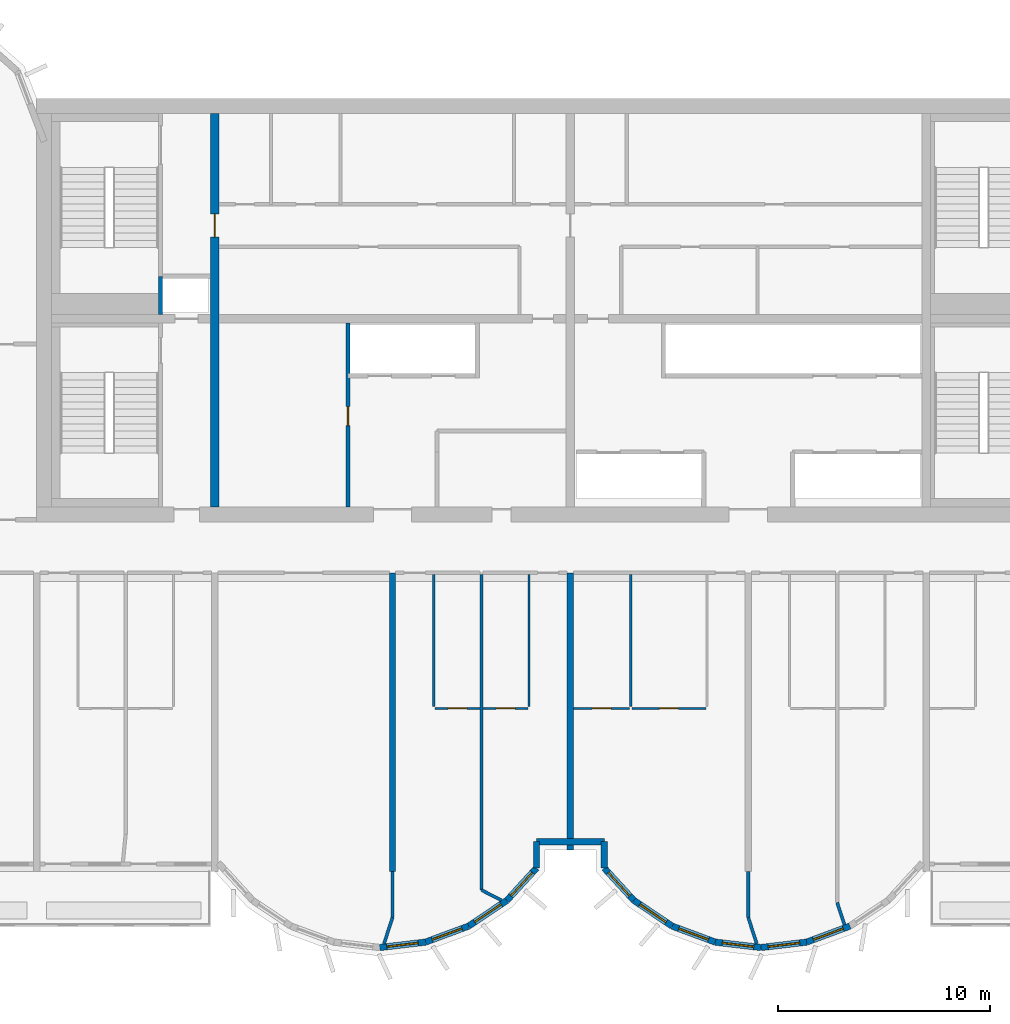
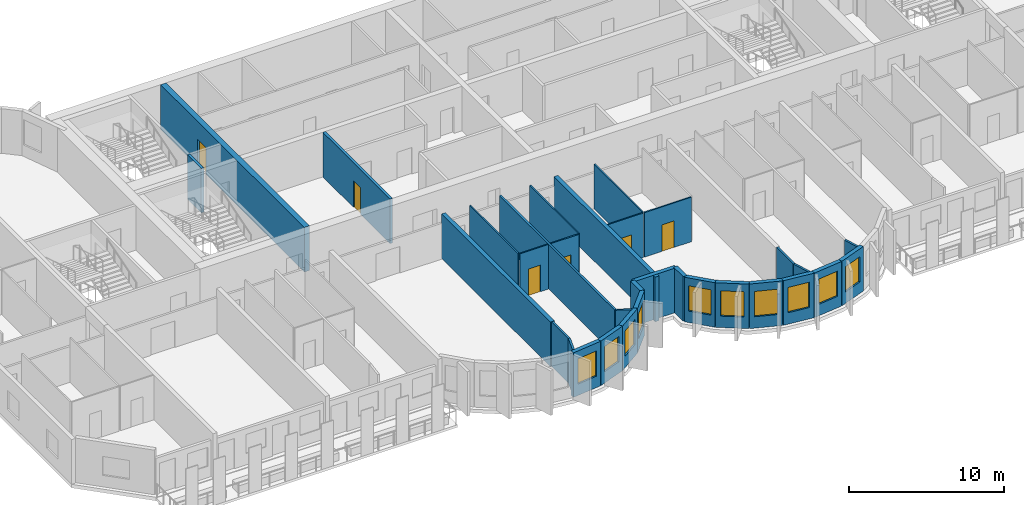
# One storey, part 4 of 13: 32 walls, 10 windows, 6 doors, 16 openings.
"""IFC4 building model written with IfcOpenShell, lengths in metres."""

from ifc_helpers import new_model, si_unit, direction, frame, frame_2d, origin, place, context, subcontext, project, spatial, rectangle, extrude, source, transform, mapped, material, layer, layer_set, type_object, element, fill, save


model = new_model("IFC4")

# Units and contexts
model_context = context("Model", 3, precision=1e-05, world=origin(), true_north=direction((0.0, 1.0)))
body_context = subcontext(model_context, "Body", "Model", "MODEL_VIEW")
ifc_project = project(units=[si_unit("LENGTHUNIT", "METRE"), si_unit("AREAUNIT", "SQUARE_METRE"), si_unit("VOLUMEUNIT", "CUBIC_METRE"), si_unit("PLANEANGLEUNIT", "RADIAN"), si_unit("MASSUNIT", "GRAM", prefix="KILO")], contexts=[model_context])

# Site, building, storey
site_placement = place(None, origin())
site = spatial("IfcSite", under=ifc_project, at=site_placement, CompositionType="ELEMENT")
building_placement = place(site_placement, origin())
building = spatial("IfcBuilding", under=site, at=building_placement, Name="Vanashikhar Sky Hotel", CompositionType="ELEMENT")
storey_placement = place(building_placement, frame((0.0, 0.0, 151.60009765625)))
storey = spatial("IfcBuildingStorey", under=building, at=storey_placement, Name="L36", CompositionType="ELEMENT", Elevation=151.60009765625)

# Wall, opening, door
ifc_material_1 = material(Name="Concrete M60", Category="concrete")
ifc_layer_1 = layer(ifc_material_1, 0.39990234375)
ifc_layer_set_1 = layer_set([ifc_layer_1], Name="RC core inner wall 400 Concrete M60")
wall_type_1 = type_object("IfcWallType", Name="RC core inner wall 400 Concrete M60", PredefinedType="SHEAR", material=ifc_layer_set_1)
shared_shape_1 = source(origin(), body_context, "Body", "SweptSolid", [
    extrude(rectangle(XDim=18.60009765625, YDim=0.39990234375, at=frame_2d((9.300048828125, 0.0))), origin(), (0.0, 0.0, 1.0), 3.52001953125),
])
wall_1_placement = place(storey_placement, frame((33.60009765625, 22.699951171875, 0.0), z_axis=(0.0, 0.0, 1.0), x_axis=(0.0, 1.0, 0.0)))
wall_1 = element("IfcWall", 1, at=wall_1_placement, inside=storey, type_object=wall_type_1, Name="KW-L36-KX1", PredefinedType="SHEAR", context=body_context, shape_type="MappedRepresentation", body=[
    mapped(shared_shape_1, transform((0.0, 0.0, 0.0), scale=1.0)),
])
shared_shape_2 = source(origin(), body_context, "Body", "SweptSolid", [
    extrude(rectangle(XDim=1.10009765625, YDim=2.10009765625, at=frame_2d((0.550048828125, 1.050048828125))), frame((0.0, 0.2099609375, 0.0), z_axis=(0.0, -1.0, 0.0), x_axis=(1.0, 0.0, 0.0)), (0.0, 0.0, 1.0), 0.419921875),
])
opening_1_placement = place(wall_1_placement, frame((12.75, 0.0, 0.0)))
opening_1 = element("IfcOpeningElement", 2, at=opening_1_placement, cuts=wall_1, Name="Opening DC-4-C", PredefinedType="OPENING", context=body_context, shape_type="MappedRepresentation", body=[
    mapped(shared_shape_2, transform((0.0, 0.0, 0.0), scale=1.0)),
])
ifc_material_2 = material(Name="Steel", Category="steel")
door_type_1 = type_object("IfcDoorType", Name="Service door 1100 FD60", OperationType="NOTDEFINED", PredefinedType="DOOR", material=ifc_material_2)
shared_shape_3 = source(origin(), body_context, "Body", "SweptSolid", [
    extrude(rectangle(XDim=1.10009765625, YDim=2.10009765625, at=frame_2d((0.550048828125, 1.050048828125))), frame((0.0, 0.02490234375, 0.0), z_axis=(0.0, -1.0, 0.0), x_axis=(1.0, 0.0, 0.0)), (0.0, 0.0, 1.0), 0.050048828125),
])
door_1_placement = place(opening_1_placement, origin())
door_1 = element("IfcDoor", 3, at=door_1_placement, inside=storey, type_object=door_type_1, Name="Service door 1100 FD60", OperationType="SINGLE_SWING_LEFT", OverallHeight=2.10009765625, OverallWidth=1.10009765625, PredefinedType="DOOR", context=body_context, shape_type="MappedRepresentation", body=[
    mapped(shared_shape_3, transform((0.0, 0.0, 0.0), scale=1.0)),
])
fill(opening_1, door_1)

# Walls
ifc_layer_2 = layer(ifc_material_1, 0.300048828125)
ifc_layer_set_2 = layer_set([ifc_layer_2], Name="RC shear wall 300 Concrete M60")
wall_type_2 = type_object("IfcWallType", Name="RC shear wall 300 Concrete M60", PredefinedType="SHEAR", material=ifc_layer_set_2)
shared_shape_4 = source(origin(), body_context, "Body", "SweptSolid", [
    extrude(rectangle(XDim=14.10009765625, YDim=0.300048828125, at=frame_2d((7.050048828125, 0.0))), origin(), (0.0, 0.0, 1.0), 3.52001953125),
])
wall_2_placement = place(storey_placement, frame((42.0, 5.5, 0.0), z_axis=(0.0, 0.0, 1.0), x_axis=(0.0, 1.0, 0.0)))
element("IfcWall", 4, at=wall_2_placement, inside=storey, type_object=wall_type_2, Name="CW-L36-XW06-1", PredefinedType="SHEAR", context=body_context, shape_type="MappedRepresentation", body=[
    mapped(shared_shape_4, transform((0.0, 0.0, 0.0), scale=1.0)),
])
shared_shape_5 = source(origin(), body_context, "Body", "SweptSolid", [
    extrude(rectangle(XDim=13.10009765625, YDim=0.300048828125, at=frame_2d((6.550048828125, 0.0))), origin(), (0.0, 0.0, 1.0), 3.52001953125),
])
wall_3_placement = place(storey_placement, frame((50.39990234375, 6.5, 0.0), z_axis=(0.0, 0.0, 1.0), x_axis=(0.0, 1.0, 0.0)))
element("IfcWall", 5, at=wall_3_placement, inside=storey, type_object=wall_type_2, Name="CW-L36-XW07-1", PredefinedType="SHEAR", context=body_context, shape_type="MappedRepresentation", body=[
    mapped(shared_shape_5, transform((0.0, 0.0, 0.0), scale=1.0)),
])

# Wall, opening, window
ifc_material_3 = material(Name="Concrete M50", Category="concrete")
ifc_layer_3 = layer(ifc_material_3, 0.300048828125)
ifc_layer_set_3 = layer_set([ifc_layer_3], Name="Lobe wall 300")
wall_type_3 = type_object("IfcWallType", Name="Lobe wall 300", PredefinedType="SOLIDWALL", material=ifc_layer_set_3)
shared_shape_6 = source(origin(), body_context, "Body", "SweptSolid", [
    extrude(rectangle(XDim=2.17578125, YDim=0.300048828125, at=frame_2d((1.087890625, 0.0))), origin(), (0.0, 0.0, 1.0), 3.52001953125),
])
wall_4_placement = place(storey_placement, frame((45.59912109375, 2.91650390625, 0.0), z_axis=(0.0, 0.0, 1.0), x_axis=(0.829625727223, 0.558319937607, 0.0)))
wall_4 = element("IfcWall", 6, at=wall_4_placement, inside=storey, type_object=wall_type_3, Name="Lobe wall", PredefinedType="SOLIDWALL", context=body_context, shape_type="MappedRepresentation", body=[
    mapped(shared_shape_6, transform((0.0, 0.0, 0.0), scale=1.0)),
])
shared_shape_7 = source(origin(), body_context, "Body", "SweptSolid", [
    extrude(rectangle(XDim=1.5, YDim=2.0, at=frame_2d((0.75, 1.0))), frame((0.0, 0.16015625, 0.0), z_axis=(0.0, -1.0, 0.0), x_axis=(1.0, 0.0, 0.0)), (0.0, 0.0, 1.0), 0.320068359375),
])
opening_2_placement = place(wall_4_placement, frame((0.337890625, 0.0, 0.89990234375)))
opening_2 = element("IfcOpeningElement", 7, at=opening_2_placement, cuts=wall_4, Name="Opening WN-2", PredefinedType="OPENING", context=body_context, shape_type="MappedRepresentation", body=[
    mapped(shared_shape_7, transform((0.0, 0.0, 0.0), scale=1.0)),
])
ifc_material_4 = material(Name="Glass", Category="glass")
window_type = type_object("IfcWindowType", Name="Lobe window 1500 x 2000", PartitioningType="SINGLE_PANEL", PredefinedType="WINDOW", material=ifc_material_4)
shared_shape_8 = source(origin(), body_context, "Body", "SweptSolid", [
    extrude(rectangle(XDim=1.5, YDim=2.0, at=frame_2d((0.75, 1.0))), frame((0.0, 0.030029296875, 0.0), z_axis=(0.0, -1.0, 0.0), x_axis=(1.0, 0.0, 0.0)), (0.0, 0.0, 1.0), 0.06005859375),
])
window_1_placement = place(opening_2_placement, origin())
window_1 = element("IfcWindow", 8, at=window_1_placement, inside=storey, type_object=window_type, Name="Window WN-2", OverallHeight=2.0, OverallWidth=1.5, PartitioningType="SINGLE_PANEL", PredefinedType="WINDOW", context=body_context, shape_type="MappedRepresentation", body=[
    mapped(shared_shape_8, transform((0.0, 0.0, 0.0), scale=1.0)),
])
fill(opening_2, window_1)

wall_5_placement = place(storey_placement, frame((53.395751953125, 4.13134765625, 0.0), z_axis=(0.0, 0.0, 1.0), x_axis=(0.829590746428, -0.558371913192, 0.0)))
wall_5 = element("IfcWall", 9, at=wall_5_placement, inside=storey, type_object=wall_type_3, Name="Lobe wall", PredefinedType="SOLIDWALL", context=body_context, shape_type="MappedRepresentation", body=[
    mapped(shared_shape_6, transform((0.0, 0.0, 0.0), scale=1.0)),
])
opening_3_placement = place(wall_5_placement, frame((0.337890625, 0.0, 0.89990234375)))
opening_3 = element("IfcOpeningElement", 10, at=opening_3_placement, cuts=wall_5, Name="Opening WN-2", PredefinedType="OPENING", context=body_context, shape_type="MappedRepresentation", body=[
    mapped(shared_shape_7, transform((0.0, 0.0, 0.0), scale=1.0)),
])
window_2_placement = place(opening_3_placement, origin())
window_2 = element("IfcWindow", 11, at=window_2_placement, inside=storey, type_object=window_type, Name="Window WN-2", OverallHeight=2.0, OverallWidth=1.5, PartitioningType="SINGLE_PANEL", PredefinedType="WINDOW", context=body_context, shape_type="MappedRepresentation", body=[
    mapped(shared_shape_8, transform((0.0, 0.0, 0.0), scale=1.0)),
])
fill(opening_3, window_2)

wall_6_placement = place(storey_placement, frame((55.20068359375, 2.91650390625, 0.0), z_axis=(0.0, 0.0, 1.0), x_axis=(0.93754555999, -0.347862505801, 0.0)))
wall_6 = element("IfcWall", 12, at=wall_6_placement, inside=storey, type_object=wall_type_3, Name="Lobe wall", PredefinedType="SOLIDWALL", context=body_context, shape_type="MappedRepresentation", body=[
    mapped(shared_shape_6, transform((0.0, 0.0, 0.0), scale=1.0)),
])
opening_4_placement = place(wall_6_placement, frame((0.337890625, 0.0, 0.89990234375)))
opening_4 = element("IfcOpeningElement", 13, at=opening_4_placement, cuts=wall_6, Name="Opening WN-2", PredefinedType="OPENING", context=body_context, shape_type="MappedRepresentation", body=[
    mapped(shared_shape_7, transform((0.0, 0.0, 0.0), scale=1.0)),
])
window_3_placement = place(opening_4_placement, origin())
window_3 = element("IfcWindow", 14, at=window_3_placement, inside=storey, type_object=window_type, Name="Window WN-2", OverallHeight=2.0, OverallWidth=1.5, PartitioningType="SINGLE_PANEL", PredefinedType="WINDOW", context=body_context, shape_type="MappedRepresentation", body=[
    mapped(shared_shape_8, transform((0.0, 0.0, 0.0), scale=1.0)),
])
fill(opening_4, window_3)

shared_shape_9 = source(origin(), body_context, "Body", "SweptSolid", [
    extrude(rectangle(XDim=2.174560546875, YDim=0.300048828125, at=frame_2d((1.08740234375, 0.0))), origin(), (0.0, 0.0, 1.0), 3.52001953125),
])
wall_7_placement = place(storey_placement, frame((57.240478515625, 2.15966796875, 0.0), z_axis=(0.0, 0.0, 1.0), x_axis=(0.993001132889, -0.118104826659, 0.0)))
wall_7 = element("IfcWall", 15, at=wall_7_placement, inside=storey, type_object=wall_type_3, Name="Lobe wall", PredefinedType="SOLIDWALL", context=body_context, shape_type="MappedRepresentation", body=[
    mapped(shared_shape_9, transform((0.0, 0.0, 0.0), scale=1.0)),
])
opening_5_placement = place(wall_7_placement, frame((0.33740234375, 0.0, 0.89990234375)))
opening_5 = element("IfcOpeningElement", 16, at=opening_5_placement, cuts=wall_7, Name="Opening WN-2", PredefinedType="OPENING", context=body_context, shape_type="MappedRepresentation", body=[
    mapped(shared_shape_7, transform((0.0, 0.0, 0.0), scale=1.0)),
])
window_4_placement = place(opening_5_placement, origin())
window_4 = element("IfcWindow", 17, at=window_4_placement, inside=storey, type_object=window_type, Name="Window WN-2", OverallHeight=2.0, OverallWidth=1.5, PartitioningType="SINGLE_PANEL", PredefinedType="WINDOW", context=body_context, shape_type="MappedRepresentation", body=[
    mapped(shared_shape_8, transform((0.0, 0.0, 0.0), scale=1.0)),
])
fill(opening_5, window_4)

shared_shape_10 = source(origin(), body_context, "Body", "SweptSolid", [
    extrude(rectangle(XDim=2.1748046875, YDim=0.300048828125, at=frame_2d((1.08740234375, 0.0))), origin(), (0.0, 0.0, 1.0), 3.52001953125),
])
wall_8_placement = place(storey_placement, frame((41.39990234375, 1.90283203125, 0.0), z_axis=(0.0, 0.0, 1.0), x_axis=(0.993002698611, 0.118091661648, 0.0)))
wall_8 = element("IfcWall", 18, at=wall_8_placement, inside=storey, type_object=wall_type_3, Name="Lobe wall", PredefinedType="SOLIDWALL", context=body_context, shape_type="MappedRepresentation", body=[
    mapped(shared_shape_10, transform((0.0, 0.0, 0.0), scale=1.0)),
])
opening_6_placement = place(wall_8_placement, frame((0.33740234375, 0.0, 0.89990234375)))
opening_6 = element("IfcOpeningElement", 19, at=opening_6_placement, cuts=wall_8, Name="Opening WN-2", PredefinedType="OPENING", context=body_context, shape_type="MappedRepresentation", body=[
    mapped(shared_shape_7, transform((0.0, 0.0, 0.0), scale=1.0)),
])
window_5_placement = place(opening_6_placement, origin())
window_5 = element("IfcWindow", 20, at=window_5_placement, inside=storey, type_object=window_type, Name="Window WN-2", OverallHeight=2.0, OverallWidth=1.5, PartitioningType="SINGLE_PANEL", PredefinedType="WINDOW", context=body_context, shape_type="MappedRepresentation", body=[
    mapped(shared_shape_8, transform((0.0, 0.0, 0.0), scale=1.0)),
])
fill(opening_6, window_5)

wall_9_placement = place(storey_placement, frame((59.39990234375, 1.90283203125, 0.0), z_axis=(0.0, 0.0, 1.0), x_axis=(0.993002698611, 0.118091661648, 0.0)))
wall_9 = element("IfcWall", 21, at=wall_9_placement, inside=storey, type_object=wall_type_3, Name="Lobe wall", PredefinedType="SOLIDWALL", context=body_context, shape_type="MappedRepresentation", body=[
    mapped(shared_shape_10, transform((0.0, 0.0, 0.0), scale=1.0)),
])
opening_7_placement = place(wall_9_placement, frame((0.33740234375, 0.0, 0.89990234375)))
opening_7 = element("IfcOpeningElement", 22, at=opening_7_placement, cuts=wall_9, Name="Opening WN-2", PredefinedType="OPENING", context=body_context, shape_type="MappedRepresentation", body=[
    mapped(shared_shape_7, transform((0.0, 0.0, 0.0), scale=1.0)),
])
window_6_placement = place(opening_7_placement, origin())
window_6 = element("IfcWindow", 23, at=window_6_placement, inside=storey, type_object=window_type, Name="Window WN-2", OverallHeight=2.0, OverallWidth=1.5, PartitioningType="SINGLE_PANEL", PredefinedType="WINDOW", context=body_context, shape_type="MappedRepresentation", body=[
    mapped(shared_shape_8, transform((0.0, 0.0, 0.0), scale=1.0)),
])
fill(opening_7, window_6)

shared_shape_11 = source(origin(), body_context, "Body", "SweptSolid", [
    extrude(rectangle(XDim=2.175537109375, YDim=0.300048828125, at=frame_2d((1.087890625, 0.0))), origin(), (0.0, 0.0, 1.0), 3.52001953125),
])
wall_10_placement = place(storey_placement, frame((43.5595703125, 2.15966796875, 0.0), z_axis=(0.0, 0.0, 1.0), x_axis=(0.937531979054, 0.347899106424, 0.0)))
wall_10 = element("IfcWall", 24, at=wall_10_placement, inside=storey, type_object=wall_type_3, Name="Lobe wall", PredefinedType="SOLIDWALL", context=body_context, shape_type="MappedRepresentation", body=[
    mapped(shared_shape_11, transform((0.0, 0.0, 0.0), scale=1.0)),
])
opening_8_placement = place(wall_10_placement, frame((0.337890625, 0.0, 0.89990234375)))
opening_8 = element("IfcOpeningElement", 25, at=opening_8_placement, cuts=wall_10, Name="Opening WN-2", PredefinedType="OPENING", context=body_context, shape_type="MappedRepresentation", body=[
    mapped(shared_shape_7, transform((0.0, 0.0, 0.0), scale=1.0)),
])
window_7_placement = place(opening_8_placement, origin())
window_7 = element("IfcWindow", 26, at=window_7_placement, inside=storey, type_object=window_type, Name="Window WN-2", OverallHeight=2.0, OverallWidth=1.5, PartitioningType="SINGLE_PANEL", PredefinedType="WINDOW", context=body_context, shape_type="MappedRepresentation", body=[
    mapped(shared_shape_8, transform((0.0, 0.0, 0.0), scale=1.0)),
])
fill(opening_8, window_7)

wall_11_placement = place(storey_placement, frame((61.5595703125, 2.15966796875, 0.0), z_axis=(0.0, 0.0, 1.0), x_axis=(0.937531979054, 0.347899106424, 0.0)))
wall_11 = element("IfcWall", 27, at=wall_11_placement, inside=storey, type_object=wall_type_3, Name="Lobe wall", PredefinedType="SOLIDWALL", context=body_context, shape_type="MappedRepresentation", body=[
    mapped(shared_shape_11, transform((0.0, 0.0, 0.0), scale=1.0)),
])
opening_9_placement = place(wall_11_placement, frame((0.337890625, 0.0, 0.89990234375)))
opening_9 = element("IfcOpeningElement", 28, at=opening_9_placement, cuts=wall_11, Name="Opening WN-2", PredefinedType="OPENING", context=body_context, shape_type="MappedRepresentation", body=[
    mapped(shared_shape_7, transform((0.0, 0.0, 0.0), scale=1.0)),
])
window_8_placement = place(opening_9_placement, origin())
window_8 = element("IfcWindow", 29, at=window_8_placement, inside=storey, type_object=window_type, Name="Window WN-2", OverallHeight=2.0, OverallWidth=1.5, PartitioningType="SINGLE_PANEL", PredefinedType="WINDOW", context=body_context, shape_type="MappedRepresentation", body=[
    mapped(shared_shape_8, transform((0.0, 0.0, 0.0), scale=1.0)),
])
fill(opening_9, window_8)

shared_shape_12 = source(origin(), body_context, "Body", "SweptSolid", [
    extrude(rectangle(XDim=2.066650390625, YDim=0.300048828125, at=frame_2d((1.033203125, 0.0))), origin(), (0.0, 0.0, 1.0), 3.52001953125),
])
wall_12_placement = place(storey_placement, frame((47.404296875, 4.13134765625, 0.0), z_axis=(0.0, 0.0, 1.0), x_axis=(0.675355439877, 0.737492393065, 0.0)))
wall_12 = element("IfcWall", 30, at=wall_12_placement, inside=storey, type_object=wall_type_3, Name="Lobe wall", PredefinedType="SOLIDWALL", context=body_context, shape_type="MappedRepresentation", body=[
    mapped(shared_shape_12, transform((0.0, 0.0, 0.0), scale=1.0)),
])
opening_10_placement = place(wall_12_placement, frame((0.283447265625, 0.0, 0.89990234375)))
opening_10 = element("IfcOpeningElement", 31, at=opening_10_placement, cuts=wall_12, Name="Opening WN-2", PredefinedType="OPENING", context=body_context, shape_type="MappedRepresentation", body=[
    mapped(shared_shape_7, transform((0.0, 0.0, 0.0), scale=1.0)),
])
window_9_placement = place(opening_10_placement, origin())
window_9 = element("IfcWindow", 32, at=window_9_placement, inside=storey, type_object=window_type, Name="Window WN-2", OverallHeight=2.0, OverallWidth=1.5, PartitioningType="SINGLE_PANEL", PredefinedType="WINDOW", context=body_context, shape_type="MappedRepresentation", body=[
    mapped(shared_shape_8, transform((0.0, 0.0, 0.0), scale=1.0)),
])
fill(opening_10, window_9)

wall_13_placement = place(storey_placement, frame((52.0, 5.655517578125, 0.0), z_axis=(0.0, 0.0, 1.0), x_axis=(0.675355439877, -0.737492393065, 0.0)))
wall_13 = element("IfcWall", 33, at=wall_13_placement, inside=storey, type_object=wall_type_3, Name="Lobe wall", PredefinedType="SOLIDWALL", context=body_context, shape_type="MappedRepresentation", body=[
    mapped(shared_shape_12, transform((0.0, 0.0, 0.0), scale=1.0)),
])
opening_11_placement = place(wall_13_placement, frame((0.283447265625, 0.0, 0.89990234375)))
opening_11 = element("IfcOpeningElement", 34, at=opening_11_placement, cuts=wall_13, Name="Opening WN-2", PredefinedType="OPENING", context=body_context, shape_type="MappedRepresentation", body=[
    mapped(shared_shape_7, transform((0.0, 0.0, 0.0), scale=1.0)),
])
window_10_placement = place(opening_11_placement, origin())
window_10 = element("IfcWindow", 35, at=window_10_placement, inside=storey, type_object=window_type, Name="Window WN-2", OverallHeight=2.0, OverallWidth=1.5, PartitioningType="SINGLE_PANEL", PredefinedType="WINDOW", context=body_context, shape_type="MappedRepresentation", body=[
    mapped(shared_shape_8, transform((0.0, 0.0, 0.0), scale=1.0)),
])
fill(opening_11, window_10)

# Walls
shared_shape_13 = source(origin(), body_context, "Body", "SweptSolid", [
    extrude(rectangle(XDim=1.244384765625, YDim=0.300048828125, at=frame_2d((0.6220703125, 0.0))), origin(), (0.0, 0.0, 1.0), 3.52001953125),
])
for number, where, z_axis, x_axis, name in (
    (36, (48.800048828125, 5.655517578125, 0.0), (0.0, 0.0, 1.0), (0.0, 1.0, 0.0), "Groove wall"),
    (37, (52.0, 6.89990234375, 0.0), (0.0, 0.0, 1.0), (0.0, -1.0, 0.0), "Groove wall"),
):
    element("IfcWall", number, at=place(storey_placement, frame(where, z_axis=z_axis, x_axis=x_axis)), inside=storey, type_object=wall_type_3, Name=name, PredefinedType="SOLIDWALL", context=body_context, shape_type="MappedRepresentation", body=[
        mapped(shared_shape_13, transform((0.0, 0.0, 0.0), scale=1.0)),
    ])
shared_shape_14 = source(origin(), body_context, "Body", "SweptSolid", [
    extrude(rectangle(XDim=3.199951171875, YDim=0.300048828125, at=frame_2d((1.60009765625, 0.0))), origin(), (0.0, 0.0, 1.0), 3.52001953125),
])
wall_14_placement = place(storey_placement, frame((48.800048828125, 6.89990234375, 0.0), z_axis=(0.0, 0.0, 1.0), x_axis=(1.0, 0.0, 0.0)))
element("IfcWall", 38, at=wall_14_placement, inside=storey, type_object=wall_type_3, Name="Groove wall", PredefinedType="SOLIDWALL", context=body_context, shape_type="MappedRepresentation", body=[
    mapped(shared_shape_14, transform((0.0, 0.0, 0.0), scale=1.0)),
])

# Wall, opening, door
ifc_material_5 = material(Name="Gypsum board partition")
ifc_layer_4 = layer(ifc_material_5, 0.14990234375)
ifc_layer_set_4 = layer_set([ifc_layer_4], Name="Service partition 150")
wall_type_4 = type_object("IfcWallType", Name="Service partition 150", PredefinedType="PARTITIONING", material=ifc_layer_set_4)
shared_shape_15 = source(origin(), body_context, "Body", "SweptSolid", [
    extrude(rectangle(XDim=8.699951171875, YDim=0.199951171875, at=frame_2d((4.35009765625, 0.0))), origin(), (0.0, 0.0, 1.0), 3.52001953125),
])
wall_15_placement = place(storey_placement, frame((39.89990234375, 22.699951171875, 0.0), z_axis=(0.0, 0.0, 1.0), x_axis=(0.0, 1.0, 0.0)))
wall_15 = element("IfcWall", 39, at=wall_15_placement, inside=storey, type_object=wall_type_4, Name="Service partition 150", PredefinedType="PARTITIONING", context=body_context, shape_type="MappedRepresentation", body=[
    mapped(shared_shape_15, transform((0.0, 0.0, 0.0), scale=1.0)),
])
shared_shape_16 = source(origin(), body_context, "Body", "SweptSolid", [
    extrude(rectangle(XDim=0.89990234375, YDim=2.10009765625, at=frame_2d((0.449951171875, 1.050048828125))), frame((0.0, 0.10986328125, 0.0), z_axis=(0.0, -1.0, 0.0), x_axis=(1.0, 0.0, 0.0)), (0.0, 0.0, 1.0), 0.219970703125),
])
opening_12_placement = place(wall_15_placement, frame((3.85009765625, 0.0, 0.0)))
opening_12 = element("IfcOpeningElement", 40, at=opening_12_placement, cuts=wall_15, Name="Opening DC-4-A", PredefinedType="OPENING", context=body_context, shape_type="MappedRepresentation", body=[
    mapped(shared_shape_16, transform((0.0, 0.0, 0.0), scale=1.0)),
])
door_type_2 = type_object("IfcDoorType", Name="Service door 900 FD60", OperationType="NOTDEFINED", PredefinedType="DOOR", material=ifc_material_2)
shared_shape_17 = source(origin(), body_context, "Body", "SweptSolid", [
    extrude(rectangle(XDim=0.89990234375, YDim=2.10009765625, at=frame_2d((0.449951171875, 1.050048828125))), frame((0.0, 0.02490234375, 0.0), z_axis=(0.0, -1.0, 0.0), x_axis=(1.0, 0.0, 0.0)), (0.0, 0.0, 1.0), 0.050048828125),
])
door_2_placement = place(opening_12_placement, origin())
door_2 = element("IfcDoor", 41, at=door_2_placement, inside=storey, type_object=door_type_2, Name="Service door 900 FD60", OperationType="SINGLE_SWING_RIGHT", OverallHeight=2.10009765625, OverallWidth=0.89990234375, PredefinedType="DOOR", context=body_context, shape_type="MappedRepresentation", body=[
    mapped(shared_shape_17, transform((0.0, 0.0, 0.0), scale=1.0)),
])
fill(opening_12, door_2)

# Walls
ifc_material_6 = material(Name="Concrete M40", Category="concrete")
ifc_layer_5 = layer(ifc_material_6, 0.199951171875)
ifc_layer_set_5 = layer_set([ifc_layer_5], Name="Shaft wall 200")
wall_type_5 = type_object("IfcWallType", Name="Shaft wall 200", PredefinedType="SOLIDWALL", material=ifc_layer_set_5)
shared_shape_18 = source(origin(), body_context, "Body", "SweptSolid", [
    extrude(rectangle(XDim=1.800048828125, YDim=0.199951171875, at=frame_2d((0.89990234375, 0.0))), origin(), (0.0, 0.0, 1.0), 3.52001953125),
])
wall_16_placement = place(storey_placement, frame((31.050048828125, 31.800048828125, 0.0), z_axis=(0.0, 0.0, 1.0), x_axis=(0.0, 1.0, 0.0)))
element("IfcWall", 42, at=wall_16_placement, inside=storey, type_object=wall_type_5, Name="Shaft wall 200", PredefinedType="SOLIDWALL", context=body_context, shape_type="MappedRepresentation", body=[
    mapped(shared_shape_18, transform((0.0, 0.0, 0.0), scale=1.0)),
])
ifc_material_7 = material(Name="Gypsum plasterboard partition")
ifc_layer_6 = layer(ifc_material_7, 0.14990234375)
ifc_layer_set_6 = layer_set([ifc_layer_6], Name="Corridor and demising partition 150")
wall_type_6 = type_object("IfcWallType", Name="Corridor and demising partition 150", PredefinedType="PARTITIONING", material=ifc_layer_set_6)
shared_shape_19 = source(origin(), body_context, "Body", "SweptSolid", [
    extrude(rectangle(XDim=2.177978515625, YDim=0.14990234375, at=frame_2d((1.0888671875, 0.0))), origin(), (0.0, 0.0, 1.0), 3.52001953125),
])
for number, where, z_axis, x_axis, name in (
    (43, (42.0, 3.322021484375, 0.0), (0.0, 0.0, 1.0), (0.0, 1.0, 0.0), "W-L36-PW053"),
    (44, (58.800048828125, 3.322021484375, 0.0), (0.0, 0.0, 1.0), (0.0, 1.0, 0.0), "W-L36-PW054"),
):
    element("IfcWall", number, at=place(storey_placement, frame(where, z_axis=z_axis, x_axis=x_axis)), inside=storey, type_object=wall_type_6, Name=name, PredefinedType="PARTITIONING", context=body_context, shape_type="MappedRepresentation", body=[
        mapped(shared_shape_19, transform((0.0, 0.0, 0.0), scale=1.0)),
    ])

# Wall, opening, door
ifc_layer_7 = layer(ifc_material_7, 0.10009765625)
ifc_layer_set_7 = layer_set([ifc_layer_7], Name="Wet room partition 100")
wall_type_7 = type_object("IfcWallType", Name="Wet room partition 100", PredefinedType="PARTITIONING", material=ifc_layer_set_7)
shared_shape_20 = source(origin(), body_context, "Body", "SweptSolid", [
    extrude(rectangle(XDim=3.5, YDim=0.10009765625, at=frame_2d((1.75, 0.0))), origin(), (0.0, 0.0, 1.0), 3.52001953125),
])
wall_17_placement = place(storey_placement, frame((53.300048828125, 13.199951171875, 0.0), z_axis=(0.0, 0.0, 1.0), x_axis=(1.0, 0.0, 0.0)))
wall_17 = element("IfcWall", 45, at=wall_17_placement, inside=storey, type_object=wall_type_7, Name="W-L36-PW024", PredefinedType="PARTITIONING", context=body_context, shape_type="MappedRepresentation", body=[
    mapped(shared_shape_20, transform((0.0, 0.0, 0.0), scale=1.0)),
])
shared_shape_21 = source(origin(), body_context, "Body", "SweptSolid", [
    extrude(rectangle(XDim=0.89990234375, YDim=2.10009765625, at=frame_2d((0.449951171875, 1.050048828125))), frame((0.0, 0.06005859375, 0.0), z_axis=(0.0, -1.0, 0.0), x_axis=(1.0, 0.0, 0.0)), (0.0, 0.0, 1.0), 0.1201171875),
])
opening_13_placement = place(wall_17_placement, frame((1.300048828125, 0.0, 0.0)))
opening_13 = element("IfcOpeningElement", 46, at=opening_13_placement, cuts=wall_17, Name="Opening D-02", PredefinedType="OPENING", context=body_context, shape_type="MappedRepresentation", body=[
    mapped(shared_shape_21, transform((0.0, 0.0, 0.0), scale=1.0)),
])
ifc_material_8 = material(Name="Timber door", Category="wood")
door_type_3 = type_object("IfcDoorType", Name="Internal door 900", OperationType="NOTDEFINED", PredefinedType="DOOR", material=ifc_material_8)
door_3_placement = place(opening_13_placement, origin())
door_3 = element("IfcDoor", 47, at=door_3_placement, inside=storey, type_object=door_type_3, Name="D-L36-014", OperationType="SINGLE_SWING_RIGHT", OverallHeight=2.10009765625, OverallWidth=0.89990234375, PredefinedType="DOOR", context=body_context, shape_type="MappedRepresentation", body=[
    mapped(shared_shape_17, transform((0.0, 0.0, 0.0), scale=1.0)),
])
fill(opening_13, door_3)

# Walls
shared_shape_22 = source(origin(), body_context, "Body", "SweptSolid", [
    extrude(rectangle(XDim=1.100830078125, YDim=0.14990234375, at=frame_2d((0.55029296875, 0.0))), origin(), (0.0, 0.0, 1.0), 3.52001953125),
])
wall_18_placement = place(storey_placement, frame((63.343017578125, 2.98095703125, 0.0), z_axis=(0.0, 0.0, 1.0), x_axis=(-0.311567081539, 0.950224159712, 0.0)))
element("IfcWall", 48, at=wall_18_placement, inside=storey, type_object=wall_type_6, Name="W-L36-PW033B0", PredefinedType="PARTITIONING", context=body_context, shape_type="MappedRepresentation", body=[
    mapped(shared_shape_22, transform((0.0, 0.0, 0.0), scale=1.0)),
])
shared_shape_23 = source(origin(), body_context, "Body", "SweptSolid", [
    extrude(rectangle(XDim=1.0576171875, YDim=0.14990234375, at=frame_2d((0.52880859375, 0.0))), origin(), (0.0, 0.0, 1.0), 3.52001953125),
])
wall_19_placement = place(storey_placement, frame((47.139892578125, 4.134033203125, 0.0), z_axis=(0.0, 0.0, 1.0), x_axis=(-0.888723819054, 0.458442988218, 0.0)))
element("IfcWall", 49, at=wall_19_placement, inside=storey, type_object=wall_type_6, Name="W-L36-PW021B0", PredefinedType="PARTITIONING", context=body_context, shape_type="MappedRepresentation", body=[
    mapped(shared_shape_23, transform((0.0, 0.0, 0.0), scale=1.0)),
])
shared_shape_24 = source(origin(), body_context, "Body", "SweptSolid", [
    extrude(rectangle(XDim=1.308349609375, YDim=0.14990234375, at=frame_2d((0.654296875, 0.0))), origin(), (0.0, 0.0, 1.0), 3.52001953125),
])
for number, where, z_axis, x_axis, name in (
    (50, (41.597900390625, 2.076904296875, 0.0), (0.0, 0.0, 1.0), (0.307313512187, 0.951608325535, 0.0), "W-L36-PW053B0"),
    (51, (59.201904296875, 2.076904296875, 0.0), (0.0, 0.0, 1.0), (-0.307144529633, 0.951662880392, 0.0), "W-L36-PW054B0"),
):
    element("IfcWall", number, at=place(storey_placement, frame(where, z_axis=z_axis, x_axis=x_axis)), inside=storey, type_object=wall_type_6, Name=name, PredefinedType="PARTITIONING", context=body_context, shape_type="MappedRepresentation", body=[
        mapped(shared_shape_24, transform((0.0, 0.0, 0.0), scale=1.0)),
    ])
shared_shape_25 = source(origin(), body_context, "Body", "SweptSolid", [
    extrude(rectangle(XDim=6.25, YDim=0.10009765625, at=frame_2d((3.125, 0.0))), origin(), (0.0, 0.0, 1.0), 3.52001953125),
])
for number, where, z_axis, x_axis, name in (
    (52, (43.949951171875, 13.27490234375, 0.0), (0.0, 0.0, 1.0), (0.0, 1.0, 0.0), "W-L36-PW015"),
    (53, (48.449951171875, 13.27490234375, 0.0), (0.0, 0.0, 1.0), (0.0, 1.0, 0.0), "W-L36-PW018"),
    (54, (53.25, 13.27490234375, 0.0), (0.0, 0.0, 1.0), (0.0, 1.0, 0.0), "W-L36-PW023"),
):
    element("IfcWall", number, at=place(storey_placement, frame(where, z_axis=z_axis, x_axis=x_axis)), inside=storey, type_object=wall_type_7, Name=name, PredefinedType="PARTITIONING", context=body_context, shape_type="MappedRepresentation", body=[
        mapped(shared_shape_25, transform((0.0, 0.0, 0.0), scale=1.0)),
    ])
shared_shape_26 = source(origin(), body_context, "Body", "SweptSolid", [
    extrude(rectangle(XDim=14.906005859375, YDim=0.14990234375, at=frame_2d((7.453125, 0.0))), origin(), (0.0, 0.0, 1.0), 3.52001953125),
])
wall_20_placement = place(storey_placement, frame((46.199951171875, 4.618896484375, 0.0), z_axis=(0.0, 0.0, 1.0), x_axis=(0.0, 1.0, 0.0)))
element("IfcWall", 55, at=wall_20_placement, inside=storey, type_object=wall_type_6, Name="W-L36-PW021", PredefinedType="PARTITIONING", context=body_context, shape_type="MappedRepresentation", body=[
    mapped(shared_shape_26, transform((0.0, 0.0, 0.0), scale=1.0)),
])

# Wall, opening, door
shared_shape_27 = source(origin(), body_context, "Body", "SweptSolid", [
    extrude(rectangle(XDim=2.125, YDim=0.10009765625, at=frame_2d((1.0625, 0.0))), origin(), (0.0, 0.0, 1.0), 3.52001953125),
])
wall_21_placement = place(storey_placement, frame((44.0, 13.199951171875, 0.0), z_axis=(0.0, 0.0, 1.0), x_axis=(1.0, 0.0, 0.0)))
wall_21 = element("IfcWall", 56, at=wall_21_placement, inside=storey, type_object=wall_type_7, Name="W-L36-PW016", PredefinedType="PARTITIONING", context=body_context, shape_type="MappedRepresentation", body=[
    mapped(shared_shape_27, transform((0.0, 0.0, 0.0), scale=1.0)),
])
opening_14_placement = place(wall_21_placement, frame((0.612060546875, 0.0, 0.0)))
opening_14 = element("IfcOpeningElement", 57, at=opening_14_placement, cuts=wall_21, Name="Opening D-02", PredefinedType="OPENING", context=body_context, shape_type="MappedRepresentation", body=[
    mapped(shared_shape_21, transform((0.0, 0.0, 0.0), scale=1.0)),
])
door_4_placement = place(opening_14_placement, origin())
door_4 = element("IfcDoor", 58, at=door_4_placement, inside=storey, type_object=door_type_3, Name="D-L36-010", OperationType="SINGLE_SWING_LEFT", OverallHeight=2.10009765625, OverallWidth=0.89990234375, PredefinedType="DOOR", context=body_context, shape_type="MappedRepresentation", body=[
    mapped(shared_shape_17, transform((0.0, 0.0, 0.0), scale=1.0)),
])
fill(opening_14, door_4)

wall_22_placement = place(storey_placement, frame((46.27490234375, 13.199951171875, 0.0), z_axis=(0.0, 0.0, 1.0), x_axis=(1.0, 0.0, 0.0)))
wall_22 = element("IfcWall", 59, at=wall_22_placement, inside=storey, type_object=wall_type_7, Name="W-L36-PW019", PredefinedType="PARTITIONING", context=body_context, shape_type="MappedRepresentation", body=[
    mapped(shared_shape_27, transform((0.0, 0.0, 0.0), scale=1.0)),
])
opening_15_placement = place(wall_22_placement, frame((0.613037109375, 0.0, 0.0)))
opening_15 = element("IfcOpeningElement", 60, at=opening_15_placement, cuts=wall_22, Name="Opening D-02", PredefinedType="OPENING", context=body_context, shape_type="MappedRepresentation", body=[
    mapped(shared_shape_21, transform((0.0, 0.0, 0.0), scale=1.0)),
])
door_5_placement = place(opening_15_placement, origin())
door_5 = element("IfcDoor", 61, at=door_5_placement, inside=storey, type_object=door_type_3, Name="D-L36-012", OperationType="SINGLE_SWING_RIGHT", OverallHeight=2.10009765625, OverallWidth=0.89990234375, PredefinedType="DOOR", context=body_context, shape_type="MappedRepresentation", body=[
    mapped(shared_shape_17, transform((0.0, 0.0, 0.0), scale=1.0)),
])
fill(opening_15, door_5)

shared_shape_28 = source(origin(), body_context, "Body", "SweptSolid", [
    extrude(rectangle(XDim=2.64990234375, YDim=0.10009765625, at=frame_2d((1.324951171875, 0.0))), origin(), (0.0, 0.0, 1.0), 3.52001953125),
])
wall_23_placement = place(storey_placement, frame((50.550048828125, 13.199951171875, 0.0), z_axis=(0.0, 0.0, 1.0), x_axis=(1.0, 0.0, 0.0)))
wall_23 = element("IfcWall", 62, at=wall_23_placement, inside=storey, type_object=wall_type_7, Name="W-L36-PW025", PredefinedType="PARTITIONING", context=body_context, shape_type="MappedRepresentation", body=[
    mapped(shared_shape_28, transform((0.0, 0.0, 0.0), scale=1.0)),
])
opening_16_placement = place(wall_23_placement, frame((0.875, 0.0, 0.0)))
opening_16 = element("IfcOpeningElement", 63, at=opening_16_placement, cuts=wall_23, Name="Opening D-02", PredefinedType="OPENING", context=body_context, shape_type="MappedRepresentation", body=[
    mapped(shared_shape_21, transform((0.0, 0.0, 0.0), scale=1.0)),
])
door_6_placement = place(opening_16_placement, origin())
door_6 = element("IfcDoor", 64, at=door_6_placement, inside=storey, type_object=door_type_3, Name="D-L36-015", OperationType="SINGLE_SWING_RIGHT", OverallHeight=2.10009765625, OverallWidth=0.89990234375, PredefinedType="DOOR", context=body_context, shape_type="MappedRepresentation", body=[
    mapped(shared_shape_17, transform((0.0, 0.0, 0.0), scale=1.0)),
])
fill(opening_16, door_6)

save(model, "model.ifc")
